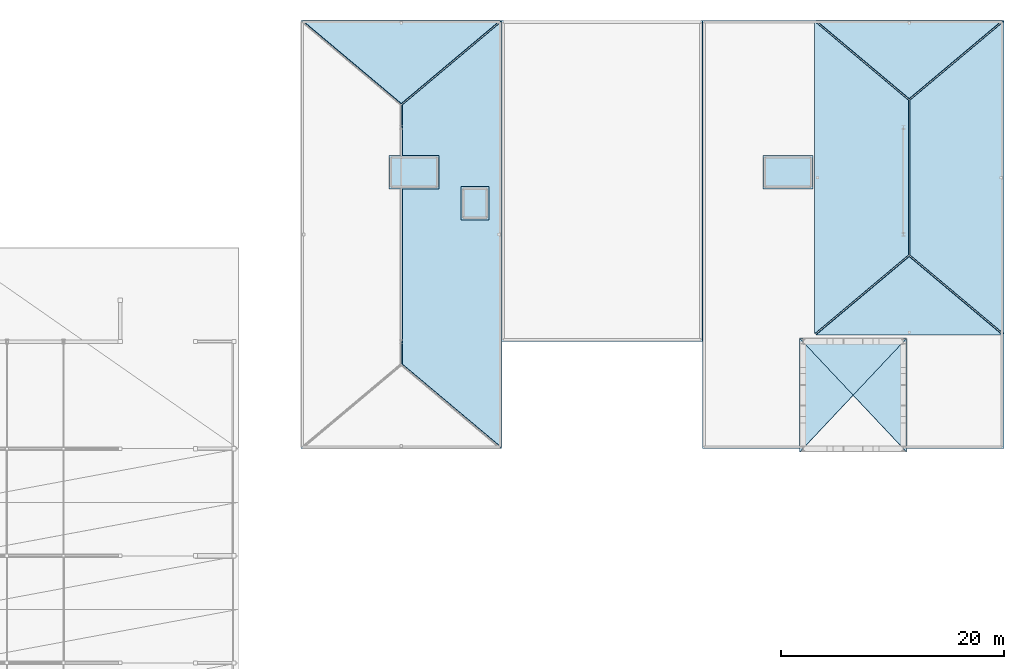
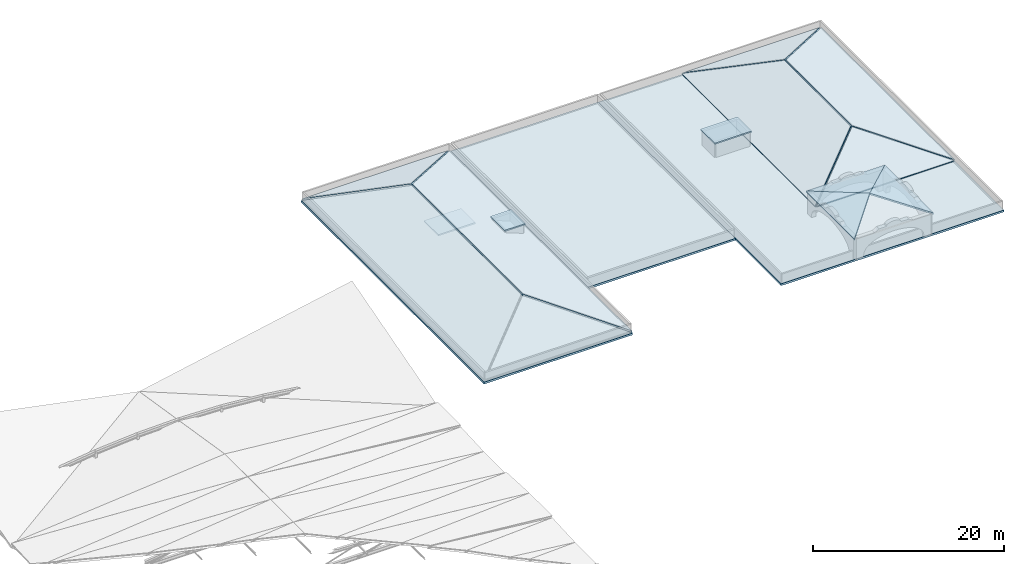
# One storey, part 11 of 16: 15 slabs.
"""IFC4 building model written with IfcOpenShell, lengths in metres."""

from ifc_helpers import new_model, si_unit, direction, frame, origin, place, context, subcontext, project, spatial, polyline, outline, extrude, material, layer, layer_set, type_object, element, save


model = new_model("IFC4")

# Units and contexts
model_context = context("Model", 3, precision=1e-05, world=origin(), true_north=direction((0.0, 1.0)))
body_context = subcontext(model_context, "Body", "Model", "MODEL_VIEW")
ifc_project = project(units=[si_unit("LENGTHUNIT", "METRE"), si_unit("AREAUNIT", "SQUARE_METRE"), si_unit("VOLUMEUNIT", "CUBIC_METRE"), si_unit("PLANEANGLEUNIT", "RADIAN"), si_unit("MASSUNIT", "GRAM", prefix="KILO")], contexts=[model_context])

# Site, building, storey
site_placement = place(None, origin())
site = spatial("IfcSite", under=ifc_project, at=site_placement, CompositionType="ELEMENT")
building_placement = place(site_placement, origin())
building = spatial("IfcBuilding", under=site, at=building_placement, Name="Myrtia Square Station", CompositionType="ELEMENT")
storey_placement = place(building_placement, frame((0.0, 0.0, 22.800048828125)))
storey = spatial("IfcBuildingStorey", under=building, at=storey_placement, Name="RF", CompositionType="ELEMENT", Elevation=22.800048828125)

# Slabs
ifc_material = material(Name="Concrete C35/45", Category="concrete")
ifc_layer_1 = layer(ifc_material, 0.18505859375, Name="Concrete C35/45")
ifc_layer_set_1 = layer_set([ifc_layer_1], Name="Concrete C35/45")
slab_type_1 = type_object("IfcSlabType", Name="SLB-HIP-185", PredefinedType="ROOF", material=ifc_layer_set_1)
slab_1_placement = place(storey_placement, frame((144.0, 86.510986328125, 0.19189453125), z_axis=(0.349582116085, 0.0, 0.936905728509), x_axis=(0.0, 1.0, 0.0)))
element("IfcSlab", 1, at=slab_1_placement, inside=storey, type_object=slab_type_1, Name="Spanish terracotta hipped roof HIP-V5W E", PredefinedType="ROOF", context=body_context, shape_type="SweptSolid", body=[
    extrude(outline(polyline([(0.0, 0.0), (38.177978515625, 0.0), (30.689453125, 9.51540671726161), (7.488525390625, 9.51540671726161), (0.0, 0.0)])), origin(), (0.0, 0.0, -1.0), 0.18505859375),
])
slab_2_placement = place(storey_placement, frame((143.867919921875, 124.800048828125, 0.19189453125), z_axis=(0.0, 0.405952255298, 0.913894286238), x_axis=(-1.0, 0.0, 0.0)))
element("IfcSlab", 2, at=slab_2_placement, inside=storey, type_object=slab_type_1, Name="Spanish terracotta hipped roof HIP-V5W N", PredefinedType="ROOF", context=body_context, shape_type="SweptSolid", body=[
    extrude(outline(polyline([(0.0, 0.0), (17.73583984375, 0.0), (8.867919921875, 8.150805537954463), (0.0, 0.0)])), origin(), (0.0, 0.0, -1.0), 0.18505859375),
])
for number, where, z_axis, x_axis, name in (
    (3, (172.050048828125, 124.68896484375, 0.19189453125), (-0.339412398943, 0.0, 0.940637668523), (0.0, -1.0, 0.0), "Spanish terracotta hipped roof HIP-V5NE W"),
    (4, (189.0, 96.7109375, 0.19189453125), (0.339412398943, 0.0, 0.940637668523), (0.0, 1.0, 0.0), "Spanish terracotta hipped roof HIP-V5NE E"),
):
    element("IfcSlab", number, at=place(storey_placement, frame(where, z_axis=z_axis, x_axis=x_axis)), inside=storey, type_object=slab_type_1, Name=name, PredefinedType="ROOF", context=body_context, shape_type="SweptSolid", body=[
        extrude(outline(polyline([(0.0, 0.0), (27.97802734375, 0.0), (20.930419921875, 8.919366998455722), (7.047607421875, 8.919366998455722), (0.0, 0.0)])), origin(), (0.0, 0.0, -1.0), 0.18505859375),
    ])
slab_3_placement = place(storey_placement, frame((172.18212890625, 96.60009765625, 0.19189453125), z_axis=(0.0, -0.394684092323, 0.918816884513), x_axis=(1.0, 0.0, 0.0)))
element("IfcSlab", 5, at=slab_3_placement, inside=storey, type_object=slab_type_1, Name="Spanish terracotta hipped roof HIP-V5NE S", PredefinedType="ROOF", context=body_context, shape_type="SweptSolid", body=[
    extrude(outline(polyline([(0.0, 0.0), (16.685791015625, 0.0), (8.3427734375, 7.626995779155095), (0.0, 0.0)])), origin(), (0.0, 0.0, -1.0), 0.18505859375),
])
slab_4_placement = place(storey_placement, frame((188.867919921875, 124.800048828125, 0.19189453125), z_axis=(0.0, 0.394672484426, 0.918821870678), x_axis=(-1.0, 0.0, 0.0)))
element("IfcSlab", 6, at=slab_4_placement, inside=storey, type_object=slab_type_1, Name="Spanish terracotta hipped roof HIP-V5NE N", PredefinedType="ROOF", context=body_context, shape_type="SweptSolid", body=[
    extrude(outline(polyline([(0.0, 0.0), (16.685791015625, 0.0), (8.343017578125, 7.627220100292211), (0.0, 0.0)])), origin(), (0.0, 0.0, -1.0), 0.18505859375),
])
slab_5_placement = place(storey_placement, frame((180.300048828125, 86.10009765625, 2.849853515625), z_axis=(0.229174546357, 0.0, 0.973385343686), x_axis=(0.0, 1.0, 0.0)))
element("IfcSlab", 7, at=slab_5_placement, inside=storey, type_object=slab_type_1, Name="Spanish terracotta hipped roof HIP-CLK E", PredefinedType="ROOF", context=body_context, shape_type="SweptSolid", body=[
    extrude(outline(polyline([(0.0, 0.0), (10.199951171875, 0.0), (5.099853515625, 4.931293510080675), (0.0, 0.0)])), origin(), (0.0, 0.0, -1.0), 0.18505859375),
])
slab_6_placement = place(storey_placement, frame((180.300048828125, 96.300048828125, 2.849853515625), z_axis=(0.0, 0.216341543118, 0.97631774373), x_axis=(-1.0, 0.0, 0.0)))
element("IfcSlab", 8, at=slab_6_placement, inside=storey, type_object=slab_type_1, Name="Spanish terracotta hipped roof HIP-CLK N", PredefinedType="ROOF", context=body_context, shape_type="SweptSolid", body=[
    extrude(outline(polyline([(0.0, 0.0), (9.60009765625, 0.0), (4.800048828125, 5.2238092455090985), (0.0, 0.0)])), origin(), (0.0, 0.0, -1.0), 0.18505859375),
])
slab_7_placement = place(storey_placement, frame((170.699951171875, 96.300048828125, 2.849853515625), z_axis=(-0.229174546357, 0.0, 0.973385343686), x_axis=(0.0, -1.0, 0.0)))
element("IfcSlab", 9, at=slab_7_placement, inside=storey, type_object=slab_type_1, Name="Spanish terracotta hipped roof HIP-CLK W", PredefinedType="ROOF", context=body_context, shape_type="SweptSolid", body=[
    extrude(outline(polyline([(0.0, 0.0), (10.199951171875, 0.0), (5.10009765625, 4.931293510080675), (0.0, 0.0)])), origin(), (0.0, 0.0, -1.0), 0.18505859375),
])
ifc_layer_2 = layer(ifc_material, 0.179931640625, Name="Concrete C35/45")
ifc_layer_set_2 = layer_set([ifc_layer_2], Name="Concrete C35/45")
slab_type_2 = type_object("IfcSlabType", Name="SLB-OVR-180", PredefinedType="ROOF", material=ifc_layer_set_2)
slab_8_placement = place(storey_placement, frame((0.0, 0.0, 1.820068359375)))
element("IfcSlab", 10, at=slab_8_placement, inside=storey, type_object=slab_type_2, Name="Lift overrun cap slab PL-08", PredefinedType="ROOF", context=body_context, shape_type="SweptSolid", body=[
    extrude(outline(polyline([(140.35009765625, 106.89990234375), (142.85009765625, 106.89990234375), (142.85009765625, 109.89990234375), (140.35009765625, 109.89990234375), (140.35009765625, 106.89990234375)])), origin(), (0.0, 0.0, 1.0), 0.179931640625),
])
slab_9_placement = place(storey_placement, frame((0.0, 0.0, 1.820068359375)))
element("IfcSlab", 11, at=slab_9_placement, inside=storey, type_object=slab_type_2, Name="Lift overrun cap slab FFL-03", PredefinedType="ROOF", context=body_context, shape_type="SweptSolid", body=[
    extrude(outline(polyline([(133.89990234375, 109.68994140625), (138.39990234375, 109.68994140625), (138.39990234375, 112.68994140625), (133.89990234375, 112.68994140625), (133.89990234375, 109.68994140625)])), origin(), (0.0, 0.0, 1.0), 0.179931640625),
])
slab_10_placement = place(storey_placement, frame((0.0, 0.0, 1.820068359375)))
element("IfcSlab", 12, at=slab_10_placement, inside=storey, type_object=slab_type_2, Name="Lift overrun cap slab FFL-04", PredefinedType="ROOF", context=body_context, shape_type="SweptSolid", body=[
    extrude(outline(polyline([(167.39990234375, 109.68994140625), (171.89990234375, 109.68994140625), (171.89990234375, 112.68994140625), (167.39990234375, 112.68994140625), (167.39990234375, 109.68994140625)])), origin(), (0.0, 0.0, 1.0), 0.179931640625),
])
ifc_layer_3 = layer(ifc_material, 0.2451171875, Name="Concrete C35/45")
ifc_layer_set_3 = layer_set([ifc_layer_3], Name="Concrete C35/45")
slab_type_3 = type_object("IfcSlabType", Name="SLB-ROOF-245", PredefinedType="ROOF", material=ifc_layer_set_3)
slab_11_placement = place(storey_placement, frame((0.0, 0.0, -0.2451171875)))
element("IfcSlab", 13, at=slab_11_placement, inside=storey, type_object=slab_type_3, Name="Flat roof deck ROOF-RF-V5W", PredefinedType="ROOF", context=body_context, shape_type="SweptSolid", body=[
    extrude(outline(polyline([(126.0, 86.39990234375), (144.0, 86.39990234375), (144.0, 124.800048828125), (126.0, 124.800048828125), (126.0, 86.39990234375)])), origin(), (0.0, 0.0, 1.0), 0.2451171875),
])
slab_12_placement = place(storey_placement, frame((0.0, 0.0, -0.2451171875)))
element("IfcSlab", 14, at=slab_12_placement, inside=storey, type_object=slab_type_3, Name="Flat roof deck ROOF-RF-V5C", PredefinedType="ROOF", context=body_context, shape_type="SweptSolid", body=[
    extrude(outline(polyline([(144.0, 96.0), (162.0, 96.0), (162.0, 124.800048828125), (144.0, 124.800048828125), (144.0, 96.0)])), origin(), (0.0, 0.0, 1.0), 0.2451171875),
])
slab_13_placement = place(storey_placement, frame((0.0, 0.0, -0.2451171875)))
element("IfcSlab", 15, at=slab_13_placement, inside=storey, type_object=slab_type_3, Name="Flat roof deck ROOF-RF-V5E", PredefinedType="ROOF", context=body_context, shape_type="SweptSolid", body=[
    extrude(outline(polyline([(162.0, 86.39990234375), (189.0, 86.39990234375), (189.0, 124.800048828125), (162.0, 124.800048828125), (162.0, 86.39990234375)])), origin(), (0.0, 0.0, 1.0), 0.2451171875),
])

save(model, "model.ifc")
